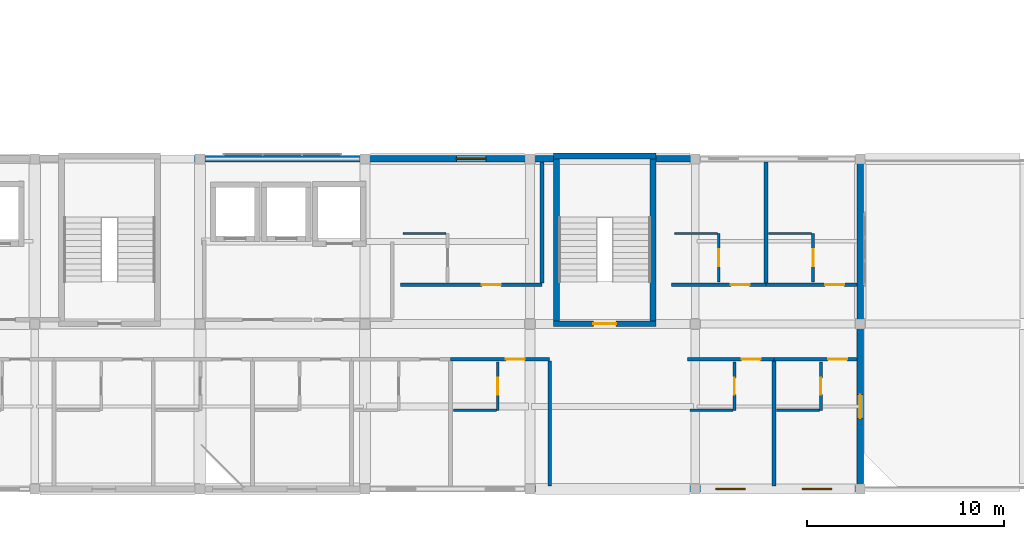
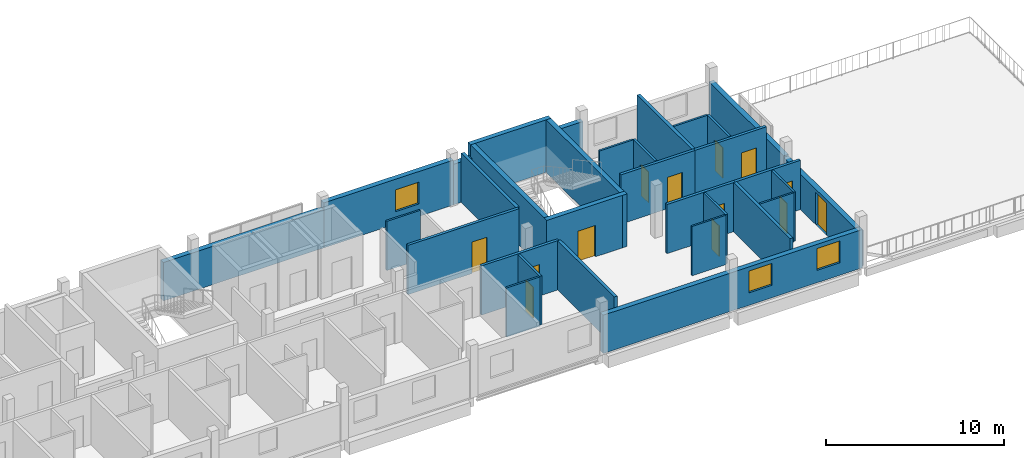
# One storey, part 16 of 20: 32 walls, 13 doors, 3 windows, 16 openings.
"""IFC4 building model written with IfcOpenShell, lengths in metres."""

from ifc_helpers import new_model, si_unit, derived_unit, direction, frame, frame_2d, origin, place, context, subcontext, project, spatial, rectangle, extrude, material, layer, layer_set, type_object, element, fill, save


model = new_model("IFC4")

# Units and contexts
model_context = context("Model", 3, precision=1e-05, world=origin(), true_north=direction((0.0, 1.0)))
body_context = subcontext(model_context, "Body", "Model", "MODEL_VIEW")
ifc_project = project(units=[si_unit("LENGTHUNIT", "METRE"), si_unit("AREAUNIT", "SQUARE_METRE"), si_unit("VOLUMEUNIT", "CUBIC_METRE"), si_unit("PLANEANGLEUNIT", "RADIAN"), si_unit("MASSUNIT", "GRAM", prefix="KILO"), derived_unit("THERMALTRANSMITTANCEUNIT", [(si_unit("POWERUNIT", "WATT"), 1), (si_unit("LENGTHUNIT", "METRE"), -2), (si_unit("THERMODYNAMICTEMPERATUREUNIT", "KELVIN"), -1)])], contexts=[model_context])

# Site, building, storey
site_placement = place(None, origin())
site = spatial("IfcSite", under=ifc_project, at=site_placement, CompositionType="ELEMENT")
building_placement = place(site_placement, origin())
building = spatial("IfcBuilding", under=site, at=building_placement, Name="Barrovel Congress Hotel", CompositionType="ELEMENT")
storey_placement = place(building_placement, frame((0.0, 0.0, 39.89990234375)))
storey = spatial("IfcBuildingStorey", under=building, at=storey_placement, Name="L10", CompositionType="ELEMENT", Elevation=39.89990234375)

# Wall, opening, door
ifc_material_1 = material(Name="Fired Clay Brick Masonry", Category="masonry")
ifc_layer_1 = layer(ifc_material_1, 0.320068359375)
ifc_layer_set_1 = layer_set([ifc_layer_1], Name="Fired Clay Brick Masonry")
wall_type_1 = type_object("IfcWallType", Name="EW-BRK320", PredefinedType="STANDARD", material=ifc_layer_set_1)
wall_1_placement = place(storey_placement, frame((117.60009765625, 4.199951171875, 0.0), z_axis=(0.0, 0.0, 1.0), x_axis=(0.0, 1.0, 0.0)))
wall_1 = element("IfcWall", 1, at=wall_1_placement, inside=storey, type_object=wall_type_1, Name="EW:L10:HS-E", PredefinedType="STANDARD", context=body_context, shape_type="SweptSolid", body=[
    extrude(rectangle(XDim=8.400146484375, YDim=0.320068359375, at=frame_2d((4.2001953125, 0.0))), origin(), (0.0, 0.0, 1.0), 2.43017578125),
])
opening_1_placement = place(wall_1_placement, frame((4.800048828125, 0.0, 0.0), z_axis=(0.0, 0.0, 1.0), x_axis=(-1.0, 0.0, 0.0)))
opening_1 = element("IfcOpeningElement", 2, at=opening_1_placement, cuts=wall_1, Name="Opening ED-04", PredefinedType="OPENING", context=body_context, shape_type="SweptSolid", body=[
    extrude(rectangle(XDim=1.199951171875, YDim=2.199951171875, at=frame_2d((0.60009765625, 1.10009765625))), frame((0.0, 0.169921875, 0.0), z_axis=(0.0, -1.0, 0.0), x_axis=(1.0, 0.0, 0.0)), (0.0, 0.0, 1.0), 0.340087890625),
])
ifc_material_2 = material(Name="Anodised Aluminium Glazed Door", Category="aluminium")
door_type_1 = type_object("IfcDoorType", Name="EDR-ED-04", OperationType="NOTDEFINED", PredefinedType="DOOR", material=ifc_material_2)
door_1_placement = place(opening_1_placement, origin())
door_1 = element("IfcDoor", 3, at=door_1_placement, inside=storey, type_object=door_type_1, Name="L10 East Setback Terrace Door", OperationType="SINGLE_SWING_LEFT", OverallHeight=2.199951171875, OverallWidth=1.199951171875, PredefinedType="DOOR", context=body_context, shape_type="SweptSolid", body=[
    extrude(rectangle(XDim=1.199951171875, YDim=2.199951171875, at=frame_2d((0.60009765625, 1.10009765625))), frame((0.0, 0.02490234375, 0.0), z_axis=(0.0, -1.0, 0.0), x_axis=(1.0, 0.0, 0.0)), (0.0, 0.0, 1.0), 0.050048828125),
])
fill(opening_1, door_1)

# Wall
wall_2_placement = place(storey_placement, frame((92.39990234375, 21.0, 0.0), z_axis=(0.0, 0.0, 1.0), x_axis=(-1.0, 0.0, 0.0)))
element("IfcWall", 4, at=wall_2_placement, inside=storey, type_object=wall_type_1, Name="EW:L10:HS-NE-2", PredefinedType="STANDARD", context=body_context, shape_type="SweptSolid", body=[
    extrude(rectangle(XDim=10.39990234375, YDim=0.320068359375, at=frame_2d((5.199951171875, 0.0))), origin(), (0.0, 0.0, 1.0), 2.630126953125),
])

# Wall, openings, windows
wall_3_placement = place(storey_placement, frame((100.800048828125, 4.199951171875, 0.0), z_axis=(0.0, 0.0, 1.0), x_axis=(1.0, 0.0, 0.0)))
wall_3 = element("IfcWall", 5, at=wall_3_placement, inside=storey, type_object=wall_type_1, Name="EW:L10:HS-S:P10", PredefinedType="STANDARD", context=body_context, shape_type="SweptSolid", body=[
    extrude(rectangle(XDim=16.800048828125, YDim=0.320068359375, at=frame_2d((8.39990234375, 0.0))), origin(), (0.0, 0.0, 1.0), 2.630126953125),
])
opening_2_placement = place(wall_3_placement, frame((9.449951171875, 0.0, 0.85009765625)))
opening_2 = element("IfcOpeningElement", 6, at=opening_2_placement, cuts=wall_3, Name="Opening WN-07", PredefinedType="OPENING", context=body_context, shape_type="SweptSolid", body=[
    extrude(rectangle(XDim=1.5, YDim=1.5, at=frame_2d((0.75, 0.75))), frame((0.0, 0.169921875, 0.0), z_axis=(0.0, -1.0, 0.0), x_axis=(1.0, 0.0, 0.0)), (0.0, 0.0, 1.0), 0.340087890625),
])
opening_3_placement = place(wall_3_placement, frame((13.85009765625, 0.0, 0.85009765625)))
opening_3 = element("IfcOpeningElement", 7, at=opening_3_placement, cuts=wall_3, Name="Opening WN-07", PredefinedType="OPENING", context=body_context, shape_type="SweptSolid", body=[
    extrude(rectangle(XDim=1.5, YDim=1.5, at=frame_2d((0.75, 0.75))), frame((0.0, 0.169921875, 0.0), z_axis=(0.0, -1.0, 0.0), x_axis=(1.0, 0.0, 0.0)), (0.0, 0.0, 1.0), 0.340087890625),
])
ifc_material_3 = material(Name="Double Low-E Insulated Glazing", Category="glass")
window_type = type_object("IfcWindowType", Name="WIN-WN-07", PartitioningType="SINGLE_PANEL", PredefinedType="WINDOW", material=ifc_material_3)
window_1_placement = place(opening_2_placement, origin())
window_1 = element("IfcWindow", 8, at=window_1_placement, inside=storey, type_object=window_type, Name="WIN:L10:U16", OverallHeight=1.5, OverallWidth=1.5, PartitioningType="SINGLE_PANEL", PredefinedType="WINDOW", context=body_context, shape_type="SweptSolid", body=[
    extrude(rectangle(XDim=1.5, YDim=1.5, at=frame_2d((0.75, 0.75))), frame((0.0, 0.030029296875, 0.0), z_axis=(0.0, -1.0, 0.0), x_axis=(1.0, 0.0, 0.0)), (0.0, 0.0, 1.0), 0.06005859375),
])
fill(opening_2, window_1)
window_2_placement = place(opening_3_placement, origin())
window_2 = element("IfcWindow", 9, at=window_2_placement, inside=storey, type_object=window_type, Name="WIN:L10:U17", OverallHeight=1.5, OverallWidth=1.5, PartitioningType="SINGLE_PANEL", PredefinedType="WINDOW", context=body_context, shape_type="SweptSolid", body=[
    extrude(rectangle(XDim=1.5, YDim=1.5, at=frame_2d((0.75, 0.75))), frame((0.0, 0.030029296875, 0.0), z_axis=(0.0, -1.0, 0.0), x_axis=(1.0, 0.0, 0.0)), (0.0, 0.0, 1.0), 0.06005859375),
])
fill(opening_3, window_2)

# Walls
wall_4_placement = place(storey_placement, frame((117.60009765625, 12.60009765625, 0.0), z_axis=(0.0, 0.0, 1.0), x_axis=(0.0, 1.0, 0.0)))
element("IfcWall", 10, at=wall_4_placement, inside=storey, type_object=wall_type_1, Name="EW:L10:HS-E:P02", PredefinedType="STANDARD", context=body_context, shape_type="SweptSolid", body=[
    extrude(rectangle(XDim=8.39990234375, YDim=0.320068359375, at=frame_2d((4.199951171875, 0.0))), origin(), (0.0, 0.0, 1.0), 2.530029296875),
])
wall_5_placement = place(storey_placement, frame((109.199951171875, 21.0, 0.0), z_axis=(0.0, 0.0, 1.0), x_axis=(-1.0, 0.0, 0.0)))
element("IfcWall", 11, at=wall_5_placement, inside=storey, type_object=wall_type_1, Name="EW:L10:HS-NE-1:P02", PredefinedType="STANDARD", context=body_context, shape_type="SweptSolid", body=[
    extrude(rectangle(XDim=2.0, YDim=0.320068359375, at=frame_2d((1.0, 0.0))), origin(), (0.0, 0.0, 1.0), 2.780029296875),
])
wall_6_placement = place(storey_placement, frame((102.0, 21.0, 0.0), z_axis=(0.0, 0.0, 1.0), x_axis=(-1.0, 0.0, 0.0)))
element("IfcWall", 12, at=wall_6_placement, inside=storey, type_object=wall_type_1, Name="EW:L10:HS-NE-2:P01", PredefinedType="STANDARD", context=body_context, shape_type="SweptSolid", body=[
    extrude(rectangle(XDim=1.199951171875, YDim=0.320068359375, at=frame_2d((0.60009765625, 0.0))), origin(), (0.0, 0.0, 1.0), 2.780029296875),
])

# Wall, opening, window
wall_7_placement = place(storey_placement, frame((100.800048828125, 21.0, 0.0), z_axis=(0.0, 0.0, 1.0), x_axis=(-1.0, 0.0, 0.0)))
wall_7 = element("IfcWall", 13, at=wall_7_placement, inside=storey, type_object=wall_type_1, Name="EW:L10:HS-NE-2:P02", PredefinedType="STANDARD", context=body_context, shape_type="SweptSolid", body=[
    extrude(rectangle(XDim=8.400146484375, YDim=0.320068359375, at=frame_2d((4.2001953125, 0.0))), origin(), (0.0, 0.0, 1.0), 3.0751953125),
])
opening_4_placement = place(wall_7_placement, frame((2.25, 0.0, 0.85009765625)))
opening_4 = element("IfcOpeningElement", 14, at=opening_4_placement, cuts=wall_7, Name="Opening WN-07", PredefinedType="OPENING", context=body_context, shape_type="SweptSolid", body=[
    extrude(rectangle(XDim=1.5, YDim=1.5, at=frame_2d((0.75, 0.75))), frame((0.0, 0.169921875, 0.0), z_axis=(0.0, -1.0, 0.0), x_axis=(1.0, 0.0, 0.0)), (0.0, 0.0, 1.0), 0.340087890625),
])
window_3_placement = place(opening_4_placement, origin())
window_3 = element("IfcWindow", 15, at=window_3_placement, inside=storey, type_object=window_type, Name="WIN:L10:U22", OverallHeight=1.5, OverallWidth=1.5, PartitioningType="SINGLE_PANEL", PredefinedType="WINDOW", context=body_context, shape_type="SweptSolid", body=[
    extrude(rectangle(XDim=1.5, YDim=1.5, at=frame_2d((0.75, 0.75))), frame((0.0, 0.030029296875, 0.0), z_axis=(0.0, -1.0, 0.0), x_axis=(1.0, 0.0, 0.0)), (0.0, 0.0, 1.0), 0.06005859375),
])
fill(opening_4, window_3)

# Wall, opening, door
ifc_material_4 = material(Name="Gypsum Acoustic Stud", Category="gypsum")
ifc_layer_2 = layer(ifc_material_4, 0.179931640625)
ifc_layer_set_2 = layer_set([ifc_layer_2], Name="Gypsum Acoustic Stud")
wall_type_2 = type_object("IfcWallType", Name="PW-ACU-180", PredefinedType="PARTITIONING", material=ifc_layer_set_2)
wall_8_placement = place(storey_placement, frame((96.757080078125, 10.800048828125, 0.0), z_axis=(0.0, 0.0, 1.0), x_axis=(1.0, 0.0, 0.0)))
wall_8 = element("IfcWall", 16, at=wall_8_placement, inside=storey, type_object=wall_type_2, Name="PW:L10:U15:COR", PredefinedType="PARTITIONING", context=body_context, shape_type="SweptSolid", body=[
    extrude(rectangle(XDim=5.04296875, YDim=0.179931640625, at=frame_2d((2.521484375, 0.0))), origin(), (0.0, 0.0, 1.0), 3.375),
])
opening_5_placement = place(wall_8_placement, frame((2.813720703125, 0.0, 0.0)))
opening_5 = element("IfcOpeningElement", 17, at=opening_5_placement, cuts=wall_8, Name="Opening ID-HTL", PredefinedType="OPENING", context=body_context, shape_type="SweptSolid", body=[
    extrude(rectangle(XDim=0.9599609375, YDim=2.14990234375, at=frame_2d((0.47998046875, 1.074951171875))), frame((0.0, 0.10009765625, 0.0), z_axis=(0.0, -1.0, 0.0), x_axis=(1.0, 0.0, 0.0)), (0.0, 0.0, 1.0), 0.199951171875),
])
ifc_material_5 = material(Name="Solid Oak Acoustic Timber Door", Category="wood")
door_type_2 = type_object("IfcDoorType", Name="IDR-ID-HTL", OperationType="NOTDEFINED", PredefinedType="DOOR", material=ifc_material_5)
door_2_placement = place(opening_5_placement, origin())
door_2 = element("IfcDoor", 18, at=door_2_placement, inside=storey, type_object=door_type_2, Name="DR:L10:U15:ENT", OperationType="SINGLE_SWING_RIGHT", OverallHeight=2.14990234375, OverallWidth=0.9599609375, PredefinedType="DOOR", context=body_context, shape_type="SweptSolid", body=[
    extrude(rectangle(XDim=0.9599609375, YDim=2.14990234375, at=frame_2d((0.47998046875, 1.074951171875))), frame((0.0, 0.02490234375, 0.0), z_axis=(0.0, -1.0, 0.0), x_axis=(1.0, 0.0, 0.0)), (0.0, 0.0, 1.0), 0.050048828125),
])
fill(opening_5, door_2)

wall_9_placement = place(storey_placement, frame((108.800048828125, 10.800048828125, 0.0), z_axis=(0.0, 0.0, 1.0), x_axis=(1.0, 0.0, 0.0)))
wall_9 = element("IfcWall", 19, at=wall_9_placement, inside=storey, type_object=wall_type_2, Name="PW:L10:U16:COR", PredefinedType="PARTITIONING", context=body_context, shape_type="SweptSolid", body=[
    extrude(rectangle(XDim=4.39990234375, YDim=0.179931640625, at=frame_2d((2.199951171875, 0.0))), origin(), (0.0, 0.0, 1.0), 3.375),
])
opening_6_placement = place(wall_9_placement, frame((2.764892578125, 0.0, 0.0)))
opening_6 = element("IfcOpeningElement", 20, at=opening_6_placement, cuts=wall_9, Name="Opening ID-HTL", PredefinedType="OPENING", context=body_context, shape_type="SweptSolid", body=[
    extrude(rectangle(XDim=0.9599609375, YDim=2.14990234375, at=frame_2d((0.47998046875, 1.074951171875))), frame((0.0, 0.10009765625, 0.0), z_axis=(0.0, -1.0, 0.0), x_axis=(1.0, 0.0, 0.0)), (0.0, 0.0, 1.0), 0.199951171875),
])
door_3_placement = place(opening_6_placement, origin())
door_3 = element("IfcDoor", 21, at=door_3_placement, inside=storey, type_object=door_type_2, Name="DR:L10:U16:ENT", OperationType="SINGLE_SWING_RIGHT", OverallHeight=2.14990234375, OverallWidth=0.9599609375, PredefinedType="DOOR", context=body_context, shape_type="SweptSolid", body=[
    extrude(rectangle(XDim=0.9599609375, YDim=2.14990234375, at=frame_2d((0.47998046875, 1.074951171875))), frame((0.0, 0.02490234375, 0.0), z_axis=(0.0, -1.0, 0.0), x_axis=(1.0, 0.0, 0.0)), (0.0, 0.0, 1.0), 0.050048828125),
])
fill(opening_6, door_3)

wall_10_placement = place(storey_placement, frame((113.199951171875, 10.800048828125, 0.0), z_axis=(0.0, 0.0, 1.0), x_axis=(1.0, 0.0, 0.0)))
wall_10 = element("IfcWall", 22, at=wall_10_placement, inside=storey, type_object=wall_type_2, Name="PW:L10:U17:COR", PredefinedType="PARTITIONING", context=body_context, shape_type="SweptSolid", body=[
    extrude(rectangle(XDim=4.239990234375, YDim=0.179931640625, at=frame_2d((2.1201171875, 0.0))), origin(), (0.0, 0.0, 1.0), 3.375),
])
opening_7_placement = place(wall_10_placement, frame((2.764892578125, 0.0, 0.0)))
opening_7 = element("IfcOpeningElement", 23, at=opening_7_placement, cuts=wall_10, Name="Opening ID-HTL", PredefinedType="OPENING", context=body_context, shape_type="SweptSolid", body=[
    extrude(rectangle(XDim=0.9599609375, YDim=2.14990234375, at=frame_2d((0.47998046875, 1.074951171875))), frame((0.0, 0.10009765625, 0.0), z_axis=(0.0, -1.0, 0.0), x_axis=(1.0, 0.0, 0.0)), (0.0, 0.0, 1.0), 0.199951171875),
])
door_4_placement = place(opening_7_placement, origin())
door_4 = element("IfcDoor", 24, at=door_4_placement, inside=storey, type_object=door_type_2, Name="DR:L10:U17:ENT", OperationType="SINGLE_SWING_RIGHT", OverallHeight=2.14990234375, OverallWidth=0.9599609375, PredefinedType="DOOR", context=body_context, shape_type="SweptSolid", body=[
    extrude(rectangle(XDim=0.9599609375, YDim=2.14990234375, at=frame_2d((0.47998046875, 1.074951171875))), frame((0.0, 0.02490234375, 0.0), z_axis=(0.0, -1.0, 0.0), x_axis=(1.0, 0.0, 0.0)), (0.0, 0.0, 1.0), 0.050048828125),
])
fill(opening_7, door_4)

wall_11_placement = place(storey_placement, frame((94.199951171875, 14.60009765625, 0.0), z_axis=(0.0, 0.0, 1.0), x_axis=(1.0, 0.0, 0.0)))
wall_11 = element("IfcWall", 25, at=wall_11_placement, inside=storey, type_object=wall_type_2, Name="PW:L10:U22:COR", PredefinedType="PARTITIONING", context=body_context, shape_type="SweptSolid", body=[
    extrude(rectangle(XDim=7.199951171875, YDim=0.179931640625, at=frame_2d((3.60009765625, 0.0))), origin(), (0.0, 0.0, 1.0), 3.375),
])
opening_8_placement = place(wall_11_placement, frame((4.15087890625, 0.0, 0.0)))
opening_8 = element("IfcOpeningElement", 26, at=opening_8_placement, cuts=wall_11, Name="Opening ID-HTL", PredefinedType="OPENING", context=body_context, shape_type="SweptSolid", body=[
    extrude(rectangle(XDim=0.9599609375, YDim=2.14990234375, at=frame_2d((0.47998046875, 1.074951171875))), frame((0.0, 0.10009765625, 0.0), z_axis=(0.0, -1.0, 0.0), x_axis=(1.0, 0.0, 0.0)), (0.0, 0.0, 1.0), 0.199951171875),
])
door_5_placement = place(opening_8_placement, origin())
door_5 = element("IfcDoor", 27, at=door_5_placement, inside=storey, type_object=door_type_2, Name="DR:L10:U22:ENT", OperationType="SINGLE_SWING_RIGHT", OverallHeight=2.14990234375, OverallWidth=0.9599609375, PredefinedType="DOOR", context=body_context, shape_type="SweptSolid", body=[
    extrude(rectangle(XDim=0.9599609375, YDim=2.14990234375, at=frame_2d((0.47998046875, 1.074951171875))), frame((0.0, 0.02490234375, 0.0), z_axis=(0.0, -1.0, 0.0), x_axis=(1.0, 0.0, 0.0)), (0.0, 0.0, 1.0), 0.050048828125),
])
fill(opening_8, door_5)

wall_12_placement = place(storey_placement, frame((108.0, 14.60009765625, 0.0), z_axis=(0.0, 0.0, 1.0), x_axis=(1.0, 0.0, 0.0)))
wall_12 = element("IfcWall", 28, at=wall_12_placement, inside=storey, type_object=wall_type_2, Name="PW:L10:U23:COR", PredefinedType="PARTITIONING", context=body_context, shape_type="SweptSolid", body=[
    extrude(rectangle(XDim=4.800048828125, YDim=0.179931640625, at=frame_2d((2.39990234375, 0.0))), origin(), (0.0, 0.0, 1.0), 3.375),
])
opening_9_placement = place(wall_12_placement, frame((3.012939453125, 0.0, 0.0)))
opening_9 = element("IfcOpeningElement", 29, at=opening_9_placement, cuts=wall_12, Name="Opening ID-HTL", PredefinedType="OPENING", context=body_context, shape_type="SweptSolid", body=[
    extrude(rectangle(XDim=0.9599609375, YDim=2.14990234375, at=frame_2d((0.47998046875, 1.074951171875))), frame((0.0, 0.10009765625, 0.0), z_axis=(0.0, -1.0, 0.0), x_axis=(1.0, 0.0, 0.0)), (0.0, 0.0, 1.0), 0.199951171875),
])
door_6_placement = place(opening_9_placement, origin())
door_6 = element("IfcDoor", 30, at=door_6_placement, inside=storey, type_object=door_type_2, Name="DR:L10:U23:ENT", OperationType="SINGLE_SWING_RIGHT", OverallHeight=2.14990234375, OverallWidth=0.9599609375, PredefinedType="DOOR", context=body_context, shape_type="SweptSolid", body=[
    extrude(rectangle(XDim=0.9599609375, YDim=2.14990234375, at=frame_2d((0.47998046875, 1.074951171875))), frame((0.0, 0.02490234375, 0.0), z_axis=(0.0, -1.0, 0.0), x_axis=(1.0, 0.0, 0.0)), (0.0, 0.0, 1.0), 0.050048828125),
])
fill(opening_9, door_6)

wall_13_placement = place(storey_placement, frame((112.800048828125, 14.60009765625, 0.0), z_axis=(0.0, 0.0, 1.0), x_axis=(1.0, 0.0, 0.0)))
wall_13 = element("IfcWall", 31, at=wall_13_placement, inside=storey, type_object=wall_type_2, Name="PW:L10:U24:COR", PredefinedType="PARTITIONING", context=body_context, shape_type="SweptSolid", body=[
    extrude(rectangle(XDim=4.639892578125, YDim=0.179931640625, at=frame_2d((2.31982421875, 0.0))), origin(), (0.0, 0.0, 1.0), 3.375),
])
opening_10_placement = place(wall_13_placement, frame((3.012939453125, 0.0, 0.0)))
opening_10 = element("IfcOpeningElement", 32, at=opening_10_placement, cuts=wall_13, Name="Opening ID-HTL", PredefinedType="OPENING", context=body_context, shape_type="SweptSolid", body=[
    extrude(rectangle(XDim=0.9599609375, YDim=2.14990234375, at=frame_2d((0.47998046875, 1.074951171875))), frame((0.0, 0.10009765625, 0.0), z_axis=(0.0, -1.0, 0.0), x_axis=(1.0, 0.0, 0.0)), (0.0, 0.0, 1.0), 0.199951171875),
])
door_7_placement = place(opening_10_placement, origin())
door_7 = element("IfcDoor", 33, at=door_7_placement, inside=storey, type_object=door_type_2, Name="DR:L10:U24:ENT", OperationType="SINGLE_SWING_RIGHT", OverallHeight=2.14990234375, OverallWidth=0.9599609375, PredefinedType="DOOR", context=body_context, shape_type="SweptSolid", body=[
    extrude(rectangle(XDim=0.9599609375, YDim=2.14990234375, at=frame_2d((0.47998046875, 1.074951171875))), frame((0.0, 0.02490234375, 0.0), z_axis=(0.0, -1.0, 0.0), x_axis=(1.0, 0.0, 0.0)), (0.0, 0.0, 1.0), 0.050048828125),
])
fill(opening_10, door_7)

# Walls
ifc_layer_3 = layer(ifc_material_4, 0.1201171875)
ifc_layer_set_3 = layer_set([ifc_layer_3], Name="Gypsum Acoustic Stud")
wall_type_3 = type_object("IfcWallType", Name="PW-INT-120", PredefinedType="PARTITIONING", material=ifc_layer_set_3)
for number, where, z_axis, x_axis, name in (
    (34, (96.897216796875, 8.199951171875, 0.0), (0.0, 0.0, 1.0), (1.0, 0.0, 0.0), "PW:L10:U15:B2"),
    (35, (108.93994140625, 8.199951171875, 0.0), (0.0, 0.0, 1.0), (1.0, 0.0, 0.0), "PW:L10:U16:B2"),
    (36, (113.340087890625, 8.199951171875, 0.0), (0.0, 0.0, 1.0), (1.0, 0.0, 0.0), "PW:L10:U17:B2"),
    (37, (94.340087890625, 17.199951171875, 0.0), (0.0, 0.0, 1.0), (1.0, 0.0, 0.0), "PW:L10:U22:B2"),
):
    element("IfcWall", number, at=place(storey_placement, frame(where, z_axis=z_axis, x_axis=x_axis)), inside=storey, type_object=wall_type_3, Name=name, PredefinedType="PARTITIONING", context=body_context, shape_type="SweptSolid", body=[
        extrude(rectangle(XDim=2.18994140625, YDim=0.1201171875, at=frame_2d((1.094970703125, 0.0))), origin(), (0.0, 0.0, 1.0), 3.375),
    ])
wall_14_placement = place(storey_placement, frame((108.139892578125, 17.199951171875, 0.0), z_axis=(0.0, 0.0, 1.0), x_axis=(1.0, 0.0, 0.0)))
element("IfcWall", 38, at=wall_14_placement, inside=storey, type_object=wall_type_3, Name="PW:L10:U23:B2", PredefinedType="PARTITIONING", context=body_context, shape_type="SweptSolid", body=[
    extrude(rectangle(XDim=2.190185546875, YDim=0.1201171875, at=frame_2d((1.09521484375, 0.0))), origin(), (0.0, 0.0, 1.0), 3.375),
])
wall_15_placement = place(storey_placement, frame((112.93994140625, 17.199951171875, 0.0), z_axis=(0.0, 0.0, 1.0), x_axis=(1.0, 0.0, 0.0)))
element("IfcWall", 39, at=wall_15_placement, inside=storey, type_object=wall_type_3, Name="PW:L10:U24:B2", PredefinedType="PARTITIONING", context=body_context, shape_type="SweptSolid", body=[
    extrude(rectangle(XDim=2.18994140625, YDim=0.1201171875, at=frame_2d((1.094970703125, 0.0))), origin(), (0.0, 0.0, 1.0), 3.375),
])
ifc_layer_4 = layer(ifc_material_1, 0.199951171875)
ifc_layer_set_4 = layer_set([ifc_layer_4], Name="Fired Clay Brick Masonry")
wall_type_4 = type_object("IfcWallType", Name="PW-MAS-200", PredefinedType="PARTITIONING", material=ifc_layer_set_4)
for number, where, z_axis, x_axis, name in (
    (40, (101.800048828125, 4.360107421875, 0.0), (0.0, 0.0, 1.0), (0.0, 1.0, 0.0), "PW:L10:U15:DEM"),
    (41, (113.199951171875, 4.360107421875, 0.0), (0.0, 0.0, 1.0), (0.0, 1.0, 0.0), "PW:L10:U16:DEM"),
):
    element("IfcWall", number, at=place(storey_placement, frame(where, z_axis=z_axis, x_axis=x_axis)), inside=storey, type_object=wall_type_4, Name=name, PredefinedType="PARTITIONING", context=body_context, shape_type="SweptSolid", body=[
        extrude(rectangle(XDim=6.349853515625, YDim=0.199951171875, at=frame_2d((3.1748046875, 0.0))), origin(), (0.0, 0.0, 1.0), 3.375),
    ])
for number, where, z_axis, x_axis, name in (
    (42, (101.39990234375, 14.68994140625, 0.0), (0.0, 0.0, 1.0), (0.0, 1.0, 0.0), "PW:L10:U22:DEM"),
    (43, (112.800048828125, 14.68994140625, 0.0), (0.0, 0.0, 1.0), (0.0, 1.0, 0.0), "PW:L10:U23:DEM"),
):
    element("IfcWall", number, at=place(storey_placement, frame(where, z_axis=z_axis, x_axis=x_axis)), inside=storey, type_object=wall_type_4, Name=name, PredefinedType="PARTITIONING", context=body_context, shape_type="SweptSolid", body=[
        extrude(rectangle(XDim=6.150146484375, YDim=0.199951171875, at=frame_2d((3.0751953125, 0.0))), origin(), (0.0, 0.0, 1.0), 3.375),
    ])

# Wall, opening, door
ifc_material_6 = material(Name="Gypsum Moisture Board", Category="gypsum")
ifc_layer_5 = layer(ifc_material_6, 0.139892578125)
ifc_layer_set_5 = layer_set([ifc_layer_5], Name="Gypsum Moisture Board")
wall_type_5 = type_object("IfcWallType", Name="PW-WET-140", PredefinedType="PARTITIONING", material=ifc_layer_set_5)
wall_16_placement = place(storey_placement, frame((99.156982421875, 8.199951171875, 0.0), z_axis=(0.0, 0.0, 1.0), x_axis=(0.0, 1.0, 0.0)))
wall_16 = element("IfcWall", 44, at=wall_16_placement, inside=storey, type_object=wall_type_5, Name="PW:L10:U15:B1", PredefinedType="PARTITIONING", context=body_context, shape_type="SweptSolid", body=[
    extrude(rectangle(XDim=2.4599609375, YDim=0.139892578125, at=frame_2d((1.22998046875, 0.0))), origin(), (0.0, 0.0, 1.0), 3.375),
])
opening_11_placement = place(wall_16_placement, frame((0.800048828125, 0.0, 0.0)))
opening_11 = element("IfcOpeningElement", 45, at=opening_11_placement, cuts=wall_16, Name="Opening ID-ENS", PredefinedType="OPENING", context=body_context, shape_type="SweptSolid", body=[
    extrude(rectangle(XDim=0.860107421875, YDim=2.10009765625, at=frame_2d((0.43017578125, 1.050048828125))), frame((0.0, 0.080078125, 0.0), z_axis=(0.0, -1.0, 0.0), x_axis=(1.0, 0.0, 0.0)), (0.0, 0.0, 1.0), 0.159912109375),
])
ifc_material_7 = material(Name="Lacquered Timber Moisture Door", Category="wood")
door_type_3 = type_object("IfcDoorType", Name="IDR-ID-ENS", OperationType="NOTDEFINED", PredefinedType="DOOR", material=ifc_material_7)
door_8_placement = place(opening_11_placement, origin())
door_8 = element("IfcDoor", 46, at=door_8_placement, inside=storey, type_object=door_type_3, Name="DR:L10:U15:ENS", OperationType="SINGLE_SWING_LEFT", OverallHeight=2.10009765625, OverallWidth=0.860107421875, PredefinedType="DOOR", context=body_context, shape_type="SweptSolid", body=[
    extrude(rectangle(XDim=0.860107421875, YDim=2.10009765625, at=frame_2d((0.43017578125, 1.050048828125))), frame((0.0, 0.02490234375, 0.0), z_axis=(0.0, -1.0, 0.0), x_axis=(1.0, 0.0, 0.0)), (0.0, 0.0, 1.0), 0.050048828125),
])
fill(opening_11, door_8)

wall_17_placement = place(storey_placement, frame((111.199951171875, 8.199951171875, 0.0), z_axis=(0.0, 0.0, 1.0), x_axis=(0.0, 1.0, 0.0)))
wall_17 = element("IfcWall", 47, at=wall_17_placement, inside=storey, type_object=wall_type_5, Name="PW:L10:U16:B1", PredefinedType="PARTITIONING", context=body_context, shape_type="SweptSolid", body=[
    extrude(rectangle(XDim=2.4599609375, YDim=0.139892578125, at=frame_2d((1.22998046875, 0.0))), origin(), (0.0, 0.0, 1.0), 3.375),
])
opening_12_placement = place(wall_17_placement, frame((0.800048828125, 0.0, 0.0)))
opening_12 = element("IfcOpeningElement", 48, at=opening_12_placement, cuts=wall_17, Name="Opening ID-ENS", PredefinedType="OPENING", context=body_context, shape_type="SweptSolid", body=[
    extrude(rectangle(XDim=0.860107421875, YDim=2.10009765625, at=frame_2d((0.43017578125, 1.050048828125))), frame((0.0, 0.080078125, 0.0), z_axis=(0.0, -1.0, 0.0), x_axis=(1.0, 0.0, 0.0)), (0.0, 0.0, 1.0), 0.159912109375),
])
door_9_placement = place(opening_12_placement, origin())
door_9 = element("IfcDoor", 49, at=door_9_placement, inside=storey, type_object=door_type_3, Name="DR:L10:U16:ENS", OperationType="SINGLE_SWING_LEFT", OverallHeight=2.10009765625, OverallWidth=0.860107421875, PredefinedType="DOOR", context=body_context, shape_type="SweptSolid", body=[
    extrude(rectangle(XDim=0.860107421875, YDim=2.10009765625, at=frame_2d((0.43017578125, 1.050048828125))), frame((0.0, 0.02490234375, 0.0), z_axis=(0.0, -1.0, 0.0), x_axis=(1.0, 0.0, 0.0)), (0.0, 0.0, 1.0), 0.050048828125),
])
fill(opening_12, door_9)

wall_18_placement = place(storey_placement, frame((115.60009765625, 8.199951171875, 0.0), z_axis=(0.0, 0.0, 1.0), x_axis=(0.0, 1.0, 0.0)))
wall_18 = element("IfcWall", 50, at=wall_18_placement, inside=storey, type_object=wall_type_5, Name="PW:L10:U17:B1", PredefinedType="PARTITIONING", context=body_context, shape_type="SweptSolid", body=[
    extrude(rectangle(XDim=2.4599609375, YDim=0.139892578125, at=frame_2d((1.22998046875, 0.0))), origin(), (0.0, 0.0, 1.0), 3.375),
])
opening_13_placement = place(wall_18_placement, frame((0.800048828125, 0.0, 0.0)))
opening_13 = element("IfcOpeningElement", 51, at=opening_13_placement, cuts=wall_18, Name="Opening ID-ENS", PredefinedType="OPENING", context=body_context, shape_type="SweptSolid", body=[
    extrude(rectangle(XDim=0.860107421875, YDim=2.10009765625, at=frame_2d((0.43017578125, 1.050048828125))), frame((0.0, 0.080078125, 0.0), z_axis=(0.0, -1.0, 0.0), x_axis=(1.0, 0.0, 0.0)), (0.0, 0.0, 1.0), 0.159912109375),
])
door_10_placement = place(opening_13_placement, origin())
door_10 = element("IfcDoor", 52, at=door_10_placement, inside=storey, type_object=door_type_3, Name="DR:L10:U17:ENS", OperationType="SINGLE_SWING_LEFT", OverallHeight=2.10009765625, OverallWidth=0.860107421875, PredefinedType="DOOR", context=body_context, shape_type="SweptSolid", body=[
    extrude(rectangle(XDim=0.860107421875, YDim=2.10009765625, at=frame_2d((0.43017578125, 1.050048828125))), frame((0.0, 0.02490234375, 0.0), z_axis=(0.0, -1.0, 0.0), x_axis=(1.0, 0.0, 0.0)), (0.0, 0.0, 1.0), 0.050048828125),
])
fill(opening_13, door_10)

wall_19_placement = place(storey_placement, frame((110.39990234375, 14.739990234375, 0.0), z_axis=(0.0, 0.0, 1.0), x_axis=(0.0, 1.0, 0.0)))
wall_19 = element("IfcWall", 53, at=wall_19_placement, inside=storey, type_object=wall_type_5, Name="PW:L10:U23:B1", PredefinedType="PARTITIONING", context=body_context, shape_type="SweptSolid", body=[
    extrude(rectangle(XDim=2.4599609375, YDim=0.139892578125, at=frame_2d((1.22998046875, 0.0))), origin(), (0.0, 0.0, 1.0), 3.375),
])
opening_14_placement = place(wall_19_placement, frame((0.800048828125, 0.0, 0.0)))
opening_14 = element("IfcOpeningElement", 54, at=opening_14_placement, cuts=wall_19, Name="Opening ID-ENS", PredefinedType="OPENING", context=body_context, shape_type="SweptSolid", body=[
    extrude(rectangle(XDim=0.860107421875, YDim=2.10009765625, at=frame_2d((0.43017578125, 1.050048828125))), frame((0.0, 0.080078125, 0.0), z_axis=(0.0, -1.0, 0.0), x_axis=(1.0, 0.0, 0.0)), (0.0, 0.0, 1.0), 0.159912109375),
])
door_11_placement = place(opening_14_placement, origin())
door_11 = element("IfcDoor", 55, at=door_11_placement, inside=storey, type_object=door_type_3, Name="DR:L10:U23:ENS", OperationType="SINGLE_SWING_LEFT", OverallHeight=2.10009765625, OverallWidth=0.860107421875, PredefinedType="DOOR", context=body_context, shape_type="SweptSolid", body=[
    extrude(rectangle(XDim=0.860107421875, YDim=2.10009765625, at=frame_2d((0.43017578125, 1.050048828125))), frame((0.0, 0.02490234375, 0.0), z_axis=(0.0, -1.0, 0.0), x_axis=(1.0, 0.0, 0.0)), (0.0, 0.0, 1.0), 0.050048828125),
])
fill(opening_14, door_11)

wall_20_placement = place(storey_placement, frame((115.199951171875, 14.739990234375, 0.0), z_axis=(0.0, 0.0, 1.0), x_axis=(0.0, 1.0, 0.0)))
wall_20 = element("IfcWall", 56, at=wall_20_placement, inside=storey, type_object=wall_type_5, Name="PW:L10:U24:B1", PredefinedType="PARTITIONING", context=body_context, shape_type="SweptSolid", body=[
    extrude(rectangle(XDim=2.4599609375, YDim=0.139892578125, at=frame_2d((1.22998046875, 0.0))), origin(), (0.0, 0.0, 1.0), 3.375),
])
opening_15_placement = place(wall_20_placement, frame((0.800048828125, 0.0, 0.0)))
opening_15 = element("IfcOpeningElement", 57, at=opening_15_placement, cuts=wall_20, Name="Opening ID-ENS", PredefinedType="OPENING", context=body_context, shape_type="SweptSolid", body=[
    extrude(rectangle(XDim=0.860107421875, YDim=2.10009765625, at=frame_2d((0.43017578125, 1.050048828125))), frame((0.0, 0.080078125, 0.0), z_axis=(0.0, -1.0, 0.0), x_axis=(1.0, 0.0, 0.0)), (0.0, 0.0, 1.0), 0.159912109375),
])
door_12_placement = place(opening_15_placement, origin())
door_12 = element("IfcDoor", 58, at=door_12_placement, inside=storey, type_object=door_type_3, Name="DR:L10:U24:ENS", OperationType="SINGLE_SWING_LEFT", OverallHeight=2.10009765625, OverallWidth=0.860107421875, PredefinedType="DOOR", context=body_context, shape_type="SweptSolid", body=[
    extrude(rectangle(XDim=0.860107421875, YDim=2.10009765625, at=frame_2d((0.43017578125, 1.050048828125))), frame((0.0, 0.02490234375, 0.0), z_axis=(0.0, -1.0, 0.0), x_axis=(1.0, 0.0, 0.0)), (0.0, 0.0, 1.0), 0.050048828125),
])
fill(opening_15, door_12)

ifc_material_8 = material(Name="Concrete C40", Category="concrete")
ifc_layer_6 = layer(ifc_material_8, 0.300048828125)
ifc_layer_set_6 = layer_set([ifc_layer_6], Name="Concrete C40")
wall_type_6 = type_object("IfcWallType", Name="SW-C40-300", PredefinedType="SHEAR", material=ifc_layer_set_6)
wall_21_placement = place(storey_placement, frame((102.0, 12.610107421875, 0.0), z_axis=(0.0, 0.0, 1.0), x_axis=(1.0, 0.0, 0.0)))
wall_21 = element("IfcWall", 59, at=wall_21_placement, inside=storey, type_object=wall_type_6, Name="SHW:XS-03:L10:S", PredefinedType="SHEAR", context=body_context, shape_type="SweptSolid", body=[
    extrude(rectangle(XDim=5.199951171875, YDim=0.300048828125, at=frame_2d((2.60009765625, 0.0))), origin(), (0.0, 0.0, 1.0), 3.60009765625),
])
opening_16_placement = place(wall_21_placement, frame((2.02490234375, 0.0, 0.0)))
opening_16 = element("IfcOpeningElement", 60, at=opening_16_placement, cuts=wall_21, Name="Opening ID-ST1", PredefinedType="OPENING", context=body_context, shape_type="SweptSolid", body=[
    extrude(rectangle(XDim=1.14990234375, YDim=2.14990234375, at=frame_2d((0.574951171875, 1.074951171875))), frame((0.0, 0.16015625, 0.0), z_axis=(0.0, -1.0, 0.0), x_axis=(1.0, 0.0, 0.0)), (0.0, 0.0, 1.0), 0.320068359375),
])
ifc_material_9 = material(Name="Painted Hollow-Metal Steel Door", Category="steel")
door_type_4 = type_object("IfcDoorType", Name="IDR-ID-ST1", OperationType="NOTDEFINED", PredefinedType="DOOR", material=ifc_material_9)
door_13_placement = place(opening_16_placement, origin())
door_13 = element("IfcDoor", 61, at=door_13_placement, inside=storey, type_object=door_type_4, Name="Stair Core Fire Door XS-03-L10", OperationType="SINGLE_SWING_RIGHT", OverallHeight=2.14990234375, OverallWidth=1.14990234375, PredefinedType="DOOR", context=body_context, shape_type="SweptSolid", body=[
    extrude(rectangle(XDim=1.14990234375, YDim=2.14990234375, at=frame_2d((0.574951171875, 1.074951171875))), frame((0.0, 0.02490234375, 0.0), z_axis=(0.0, -1.0, 0.0), x_axis=(1.0, 0.0, 0.0)), (0.0, 0.0, 1.0), 0.050048828125),
])
fill(opening_16, door_13)

# Walls
wall_22_placement = place(storey_placement, frame((107.050048828125, 12.4599609375, 0.0), z_axis=(0.0, 0.0, 1.0), x_axis=(0.0, 1.0, 0.0)))
element("IfcWall", 62, at=wall_22_placement, inside=storey, type_object=wall_type_6, Name="SHW:XS-03:L10:E", PredefinedType="SHEAR", context=body_context, shape_type="SweptSolid", body=[
    extrude(rectangle(XDim=8.840087890625, YDim=0.300048828125, at=frame_2d((4.419921875, 0.0))), origin(), (0.0, 0.0, 1.0), 3.60009765625),
])
wall_23_placement = place(storey_placement, frame((107.199951171875, 21.14990234375, 0.0), z_axis=(0.0, 0.0, 1.0), x_axis=(-1.0, 0.0, 0.0)))
element("IfcWall", 63, at=wall_23_placement, inside=storey, type_object=wall_type_6, Name="SHW:XS-03:L10:N", PredefinedType="SHEAR", context=body_context, shape_type="SweptSolid", body=[
    extrude(rectangle(XDim=5.199951171875, YDim=0.300048828125, at=frame_2d((2.60009765625, 0.0))), origin(), (0.0, 0.0, 1.0), 3.60009765625),
])
wall_24_placement = place(storey_placement, frame((102.14990234375, 21.300048828125, 0.0), z_axis=(0.0, 0.0, 1.0), x_axis=(0.0, -1.0, 0.0)))
element("IfcWall", 64, at=wall_24_placement, inside=storey, type_object=wall_type_6, Name="SHW:XS-03:L10:W", PredefinedType="SHEAR", context=body_context, shape_type="SweptSolid", body=[
    extrude(rectangle(XDim=8.840087890625, YDim=0.300048828125, at=frame_2d((4.419921875, 0.0))), origin(), (0.0, 0.0, 1.0), 3.60009765625),
])

save(model, "model.ifc")
